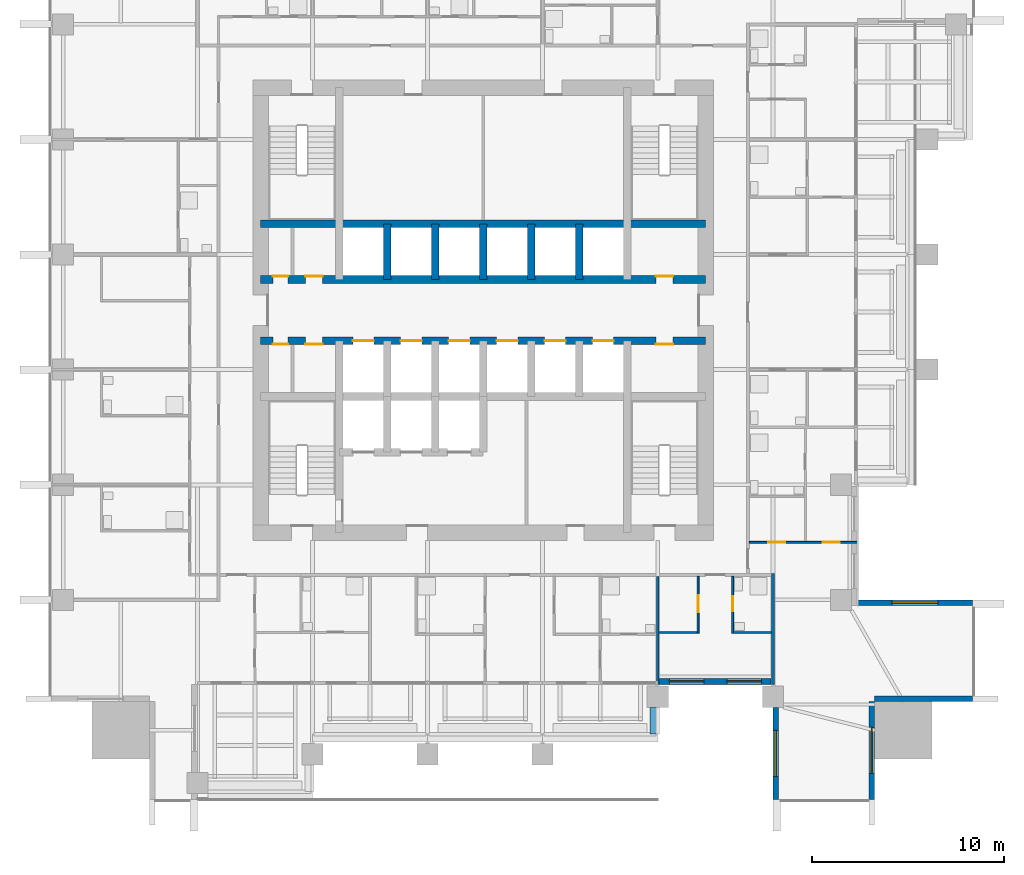
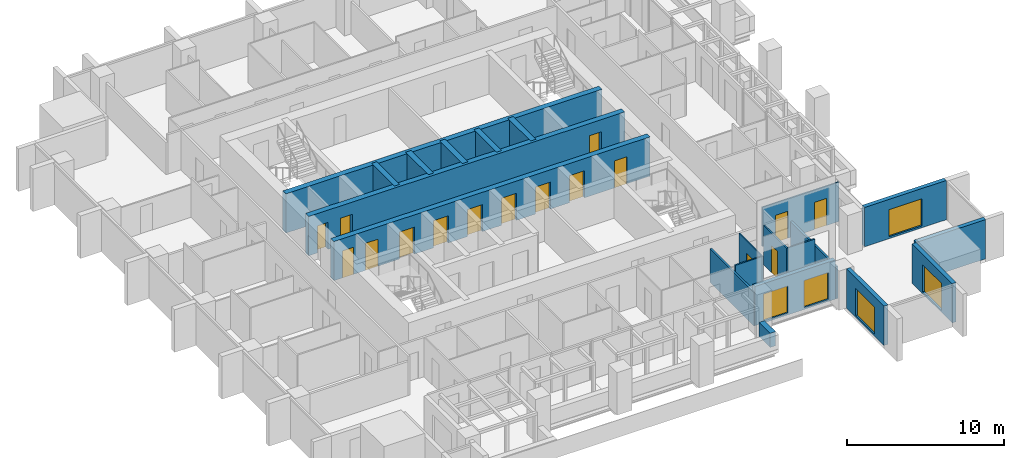
# One storey, part 9 of 16: 21 walls, 16 doors, 5 windows, 21 openings.
"""IFC4 building model written with IfcOpenShell, lengths in metres."""

from ifc_helpers import new_model, si_unit, direction, frame, frame_2d, origin, place, context, subcontext, project, spatial, rectangle, extrude, material, layer, layer_set, type_object, element, fill, save


model = new_model("IFC4")

# Units and contexts
model_context = context("Model", 3, precision=1e-05, world=origin(), true_north=direction((0.0, 1.0)))
body_context = subcontext(model_context, "Body", "Model", "MODEL_VIEW")
ifc_project = project(units=[si_unit("LENGTHUNIT", "METRE"), si_unit("AREAUNIT", "SQUARE_METRE"), si_unit("VOLUMEUNIT", "CUBIC_METRE"), si_unit("PLANEANGLEUNIT", "RADIAN"), si_unit("MASSUNIT", "GRAM", prefix="KILO")], contexts=[model_context])

# Site, building, storey
site_placement = place(None, origin())
site = spatial("IfcSite", under=ifc_project, at=site_placement, CompositionType="ELEMENT")
building_placement = place(site_placement, origin())
building = spatial("IfcBuilding", under=site, at=building_placement, Name="Amberfall Residences", CompositionType="ELEMENT")
storey_placement = place(building_placement, frame((0.0, 0.0, 108.39990234375)))
storey = spatial("IfcBuildingStorey", under=building, at=storey_placement, Name="L29", CompositionType="ELEMENT", Elevation=108.39990234375)

# Wall, opening, window
ifc_material_1 = material(Name="Pale stone cladding on insulated backing", Category="masonry")
ifc_layer_1 = layer(ifc_material_1, 0.300048828125)
ifc_layer_set_1 = layer_set([ifc_layer_1], Name="Bronze clad wall 300")
wall_type_1 = type_object("IfcWallType", Name="Bronze clad wall 300", PredefinedType="SOLIDWALL", material=ifc_layer_set_1)
wall_1_placement = place(storey_placement, frame((89.75, 24.800048828125, 0.0), z_axis=(0.0, 0.0, 1.0), x_axis=(0.0, -1.0, 0.0)))
wall_1 = element("IfcWall", 1, at=wall_1_placement, inside=storey, type_object=wall_type_1, Name="External wall L29 S", PredefinedType="SOLIDWALL", context=body_context, shape_type="SweptSolid", body=[
    extrude(rectangle(XDim=4.800048828125, YDim=0.300048828125, at=frame_2d((2.39990234375, 0.0))), origin(), (0.0, 0.0, 1.0), 3.050048828125),
])
opening_1_placement = place(wall_1_placement, frame((1.199951171875, 0.0, 0.14990234375)))
opening_1 = element("IfcOpeningElement", 2, at=opening_1_placement, cuts=wall_1, Name="Opening WN5", PredefinedType="OPENING", context=body_context, shape_type="SweptSolid", body=[
    extrude(rectangle(XDim=2.39990234375, YDim=2.10009765625, at=frame_2d((1.199951171875, 1.050048828125))), frame((0.0, 0.159912109375, 0.0), z_axis=(0.0, -1.0, 0.0), x_axis=(1.0, 0.0, 0.0)), (0.0, 0.0, 1.0), 0.320068359375),
])
ifc_material_2 = material(Name="Bronze aluminium framed glazing", Category="aluminium")
window_type_1 = type_object("IfcWindowType", Name="Glazed opening 2400 x 2100 bronze", PartitioningType="DOUBLE_PANEL_VERTICAL", PredefinedType="WINDOW", material=ifc_material_2)
window_1_placement = place(opening_1_placement, origin())
window_1 = element("IfcWindow", 3, at=window_1_placement, inside=storey, type_object=window_type_1, Name="Window L29 S", OverallHeight=2.10009765625, OverallWidth=2.39990234375, PartitioningType="DOUBLE_PANEL_VERTICAL", PredefinedType="WINDOW", context=body_context, shape_type="SweptSolid", body=[
    extrude(rectangle(XDim=2.39990234375, YDim=2.10009765625, at=frame_2d((1.199951171875, 1.050048828125))), frame((0.0, 0.030029296875, 0.0), z_axis=(0.0, -1.0, 0.0), x_axis=(1.0, 0.0, 0.0)), (0.0, 0.0, 1.0), 0.06005859375),
])
fill(opening_1, window_1)

wall_2_placement = place(storey_placement, frame((94.75, 20.0, 0.0), z_axis=(0.0, 0.0, 1.0), x_axis=(0.0, 1.0, 0.0)))
wall_2 = element("IfcWall", 4, at=wall_2_placement, inside=storey, type_object=wall_type_1, Name="External wall L29 SE", PredefinedType="SOLIDWALL", context=body_context, shape_type="SweptSolid", body=[
    extrude(rectangle(XDim=5.10009765625, YDim=0.300048828125, at=frame_2d((2.550048828125, 0.0))), origin(), (0.0, 0.0, 1.0), 3.050048828125),
])
opening_2_placement = place(wall_2_placement, frame((1.35009765625, 0.0, 0.14990234375)))
opening_2 = element("IfcOpeningElement", 5, at=opening_2_placement, cuts=wall_2, Name="Opening WN5", PredefinedType="OPENING", context=body_context, shape_type="SweptSolid", body=[
    extrude(rectangle(XDim=2.39990234375, YDim=2.10009765625, at=frame_2d((1.199951171875, 1.050048828125))), frame((0.0, 0.159912109375, 0.0), z_axis=(0.0, -1.0, 0.0), x_axis=(1.0, 0.0, 0.0)), (0.0, 0.0, 1.0), 0.320068359375),
])
window_2_placement = place(opening_2_placement, origin())
window_2 = element("IfcWindow", 6, at=window_2_placement, inside=storey, type_object=window_type_1, Name="Window L29 SE", OverallHeight=2.10009765625, OverallWidth=2.39990234375, PartitioningType="DOUBLE_PANEL_VERTICAL", PredefinedType="WINDOW", context=body_context, shape_type="SweptSolid", body=[
    extrude(rectangle(XDim=2.39990234375, YDim=2.10009765625, at=frame_2d((1.199951171875, 1.050048828125))), frame((0.0, 0.030029296875, 0.0), z_axis=(0.0, -1.0, 0.0), x_axis=(1.0, 0.0, 0.0)), (0.0, 0.0, 1.0), 0.06005859375),
])
fill(opening_2, window_2)

# Wall
wall_3_placement = place(storey_placement, frame((94.89990234375, 25.25, 0.0), z_axis=(0.0, 0.0, 1.0), x_axis=(1.0, 0.0, 0.0)))
element("IfcWall", 7, at=wall_3_placement, inside=storey, type_object=wall_type_1, Name="External wall L29 SE", PredefinedType="SOLIDWALL", context=body_context, shape_type="SweptSolid", body=[
    extrude(rectangle(XDim=5.10009765625, YDim=0.300048828125, at=frame_2d((2.550048828125, 0.0))), origin(), (0.0, 0.0, 1.0), 3.050048828125),
])

# Wall, opening, window
wall_4_placement = place(storey_placement, frame((100.0, 30.25, 0.0), z_axis=(0.0, 0.0, 1.0), x_axis=(-1.0, 0.0, 0.0)))
wall_4 = element("IfcWall", 8, at=wall_4_placement, inside=storey, type_object=wall_type_1, Name="External wall L29 E", PredefinedType="SOLIDWALL", context=body_context, shape_type="SweptSolid", body=[
    extrude(rectangle(XDim=6.0, YDim=0.300048828125, at=frame_2d((3.0, 0.0))), origin(), (0.0, 0.0, 1.0), 3.050048828125),
])
opening_3_placement = place(wall_4_placement, frame((1.800048828125, 0.0, 0.14990234375)))
opening_3 = element("IfcOpeningElement", 9, at=opening_3_placement, cuts=wall_4, Name="Opening WN5", PredefinedType="OPENING", context=body_context, shape_type="SweptSolid", body=[
    extrude(rectangle(XDim=2.39990234375, YDim=2.10009765625, at=frame_2d((1.199951171875, 1.050048828125))), frame((0.0, 0.159912109375, 0.0), z_axis=(0.0, -1.0, 0.0), x_axis=(1.0, 0.0, 0.0)), (0.0, 0.0, 1.0), 0.320068359375),
])
window_3_placement = place(opening_3_placement, origin())
window_3 = element("IfcWindow", 10, at=window_3_placement, inside=storey, type_object=window_type_1, Name="Window L29 E", OverallHeight=2.10009765625, OverallWidth=2.39990234375, PartitioningType="DOUBLE_PANEL_VERTICAL", PredefinedType="WINDOW", context=body_context, shape_type="SweptSolid", body=[
    extrude(rectangle(XDim=2.39990234375, YDim=2.10009765625, at=frame_2d((1.199951171875, 1.050048828125))), frame((0.0, 0.030029296875, 0.0), z_axis=(0.0, -1.0, 0.0), x_axis=(1.0, 0.0, 0.0)), (0.0, 0.0, 1.0), 0.06005859375),
])
fill(opening_3, window_3)

# Wall, openings, windows
wall_5_placement = place(storey_placement, frame((83.60009765625, 26.14990234375, 0.0), z_axis=(0.0, 0.0, 1.0), x_axis=(1.0, 0.0, 0.0)))
wall_5 = element("IfcWall", 11, at=wall_5_placement, inside=storey, type_object=wall_type_1, Name="Stone wall L29 S", PredefinedType="SOLIDWALL", context=body_context, shape_type="SweptSolid", body=[
    extrude(rectangle(XDim=5.889892578125, YDim=0.300048828125, at=frame_2d((2.94482421875, 0.0))), origin(), (0.0, 0.0, 1.0), 3.050048828125),
])
opening_4_placement = place(wall_5_placement, frame((0.60009765625, 0.0, 0.14990234375)))
opening_4 = element("IfcOpeningElement", 12, at=opening_4_placement, cuts=wall_5, Name="Opening WN6", PredefinedType="OPENING", context=body_context, shape_type="SweptSolid", body=[
    extrude(rectangle(XDim=1.800048828125, YDim=2.10009765625, at=frame_2d((0.89990234375, 1.050048828125))), frame((0.0, 0.159912109375, 0.0), z_axis=(0.0, -1.0, 0.0), x_axis=(1.0, 0.0, 0.0)), (0.0, 0.0, 1.0), 0.320068359375),
])
opening_5_placement = place(wall_5_placement, frame((3.60009765625, 0.0, 0.14990234375)))
opening_5 = element("IfcOpeningElement", 13, at=opening_5_placement, cuts=wall_5, Name="Opening WN6", PredefinedType="OPENING", context=body_context, shape_type="SweptSolid", body=[
    extrude(rectangle(XDim=1.800048828125, YDim=2.10009765625, at=frame_2d((0.89990234375, 1.050048828125))), frame((0.0, 0.159912109375, 0.0), z_axis=(0.0, -1.0, 0.0), x_axis=(1.0, 0.0, 0.0)), (0.0, 0.0, 1.0), 0.320068359375),
])
window_type_2 = type_object("IfcWindowType", Name="Glazed opening 1800 x 2100 bronze", PartitioningType="DOUBLE_PANEL_VERTICAL", PredefinedType="WINDOW", material=ifc_material_2)
window_4_placement = place(opening_4_placement, origin())
window_4 = element("IfcWindow", 14, at=window_4_placement, inside=storey, type_object=window_type_2, Name="Window L29 S", OverallHeight=2.10009765625, OverallWidth=1.800048828125, PartitioningType="DOUBLE_PANEL_VERTICAL", PredefinedType="WINDOW", context=body_context, shape_type="SweptSolid", body=[
    extrude(rectangle(XDim=1.800048828125, YDim=2.10009765625, at=frame_2d((0.89990234375, 1.050048828125))), frame((0.0, 0.030029296875, 0.0), z_axis=(0.0, -1.0, 0.0), x_axis=(1.0, 0.0, 0.0)), (0.0, 0.0, 1.0), 0.06005859375),
])
fill(opening_4, window_4)
window_5_placement = place(opening_5_placement, origin())
window_5 = element("IfcWindow", 15, at=window_5_placement, inside=storey, type_object=window_type_2, Name="Window L29 S", OverallHeight=2.10009765625, OverallWidth=1.800048828125, PartitioningType="DOUBLE_PANEL_VERTICAL", PredefinedType="WINDOW", context=body_context, shape_type="SweptSolid", body=[
    extrude(rectangle(XDim=1.800048828125, YDim=2.10009765625, at=frame_2d((0.89990234375, 1.050048828125))), frame((0.0, 0.030029296875, 0.0), z_axis=(0.0, -1.0, 0.0), x_axis=(1.0, 0.0, 0.0)), (0.0, 0.0, 1.0), 0.06005859375),
])
fill(opening_5, window_5)

# Wall, openings, doors
ifc_material_3 = material(Name="Concrete C70", Category="concrete")
ifc_layer_2 = layer(ifc_material_3, 0.39990234375)
ifc_layer_set_2 = layer_set([ifc_layer_2], Name="Core wall 400 C70")
wall_type_2 = type_object("IfcWallType", Name="Core wall 400 C70", PredefinedType="SHEAR", material=ifc_layer_set_2)
wall_6_placement = place(storey_placement, frame((62.89990234375, 43.89990234375, 0.0), z_axis=(0.0, 0.0, 1.0), x_axis=(1.0, 0.0, 0.0)))
wall_6 = element("IfcWall", 16, at=wall_6_placement, inside=storey, type_object=wall_type_2, Name="Core wall RW4 L29 H104", PredefinedType="SHEAR", context=body_context, shape_type="SweptSolid", body=[
    extrude(rectangle(XDim=23.2001953125, YDim=0.39990234375, at=frame_2d((11.60009765625, 0.0))), origin(), (0.0, 0.0, 1.0), 3.050048828125),
])
opening_6_placement = place(wall_6_placement, frame((0.6298828125, 0.0, 0.0)))
opening_6 = element("IfcOpeningElement", 17, at=opening_6_placement, cuts=wall_6, Name="Opening RD2", PredefinedType="OPENING", context=body_context, shape_type="SweptSolid", body=[
    extrude(rectangle(XDim=0.800048828125, YDim=2.10009765625, at=frame_2d((0.39990234375, 1.050048828125))), frame((0.0, 0.2099609375, 0.0), z_axis=(0.0, -1.0, 0.0), x_axis=(1.0, 0.0, 0.0)), (0.0, 0.0, 1.0), 0.419921875),
])
opening_7_placement = place(wall_6_placement, frame((2.330078125, 0.0, 0.0)))
opening_7 = element("IfcOpeningElement", 18, at=opening_7_placement, cuts=wall_6, Name="Opening RD1", PredefinedType="OPENING", context=body_context, shape_type="SweptSolid", body=[
    extrude(rectangle(XDim=0.89990234375, YDim=2.10009765625, at=frame_2d((0.449951171875, 1.050048828125))), frame((0.0, 0.2099609375, 0.0), z_axis=(0.0, -1.0, 0.0), x_axis=(1.0, 0.0, 0.0)), (0.0, 0.0, 1.0), 0.419921875),
])
opening_8_placement = place(wall_6_placement, frame((20.60009765625, 0.0, 0.0)))
opening_8 = element("IfcOpeningElement", 19, at=opening_8_placement, cuts=wall_6, Name="Opening RD1", PredefinedType="OPENING", context=body_context, shape_type="SweptSolid", body=[
    extrude(rectangle(XDim=0.89990234375, YDim=2.10009765625, at=frame_2d((0.449951171875, 1.050048828125))), frame((0.0, 0.2099609375, 0.0), z_axis=(0.0, -1.0, 0.0), x_axis=(1.0, 0.0, 0.0)), (0.0, 0.0, 1.0), 0.419921875),
])
opening_9_placement = place(wall_6_placement, frame((4.800048828125, 0.0, 0.0)))
opening_9 = element("IfcOpeningElement", 20, at=opening_9_placement, cuts=wall_6, Name="Opening LD1", PredefinedType="OPENING", context=body_context, shape_type="SweptSolid", body=[
    extrude(rectangle(XDim=1.10009765625, YDim=2.10009765625, at=frame_2d((0.550048828125, 1.050048828125))), frame((0.0, 0.2099609375, 0.0), z_axis=(0.0, -1.0, 0.0), x_axis=(1.0, 0.0, 0.0)), (0.0, 0.0, 1.0), 0.419921875),
])
opening_10_placement = place(wall_6_placement, frame((7.300048828125, 0.0, 0.0)))
opening_10 = element("IfcOpeningElement", 21, at=opening_10_placement, cuts=wall_6, Name="Opening LD1", PredefinedType="OPENING", context=body_context, shape_type="SweptSolid", body=[
    extrude(rectangle(XDim=1.10009765625, YDim=2.10009765625, at=frame_2d((0.550048828125, 1.050048828125))), frame((0.0, 0.2099609375, 0.0), z_axis=(0.0, -1.0, 0.0), x_axis=(1.0, 0.0, 0.0)), (0.0, 0.0, 1.0), 0.419921875),
])
opening_11_placement = place(wall_6_placement, frame((9.800048828125, 0.0, 0.0)))
opening_11 = element("IfcOpeningElement", 22, at=opening_11_placement, cuts=wall_6, Name="Opening LD1", PredefinedType="OPENING", context=body_context, shape_type="SweptSolid", body=[
    extrude(rectangle(XDim=1.10009765625, YDim=2.10009765625, at=frame_2d((0.550048828125, 1.050048828125))), frame((0.0, 0.2099609375, 0.0), z_axis=(0.0, -1.0, 0.0), x_axis=(1.0, 0.0, 0.0)), (0.0, 0.0, 1.0), 0.419921875),
])
opening_12_placement = place(wall_6_placement, frame((12.300048828125, 0.0, 0.0)))
opening_12 = element("IfcOpeningElement", 23, at=opening_12_placement, cuts=wall_6, Name="Opening LD1", PredefinedType="OPENING", context=body_context, shape_type="SweptSolid", body=[
    extrude(rectangle(XDim=1.10009765625, YDim=2.10009765625, at=frame_2d((0.550048828125, 1.050048828125))), frame((0.0, 0.2099609375, 0.0), z_axis=(0.0, -1.0, 0.0), x_axis=(1.0, 0.0, 0.0)), (0.0, 0.0, 1.0), 0.419921875),
])
opening_13_placement = place(wall_6_placement, frame((14.800048828125, 0.0, 0.0)))
opening_13 = element("IfcOpeningElement", 24, at=opening_13_placement, cuts=wall_6, Name="Opening LD1", PredefinedType="OPENING", context=body_context, shape_type="SweptSolid", body=[
    extrude(rectangle(XDim=1.10009765625, YDim=2.10009765625, at=frame_2d((0.550048828125, 1.050048828125))), frame((0.0, 0.2099609375, 0.0), z_axis=(0.0, -1.0, 0.0), x_axis=(1.0, 0.0, 0.0)), (0.0, 0.0, 1.0), 0.419921875),
])
opening_14_placement = place(wall_6_placement, frame((17.300048828125, 0.0, 0.0)))
opening_14 = element("IfcOpeningElement", 25, at=opening_14_placement, cuts=wall_6, Name="Opening LD1", PredefinedType="OPENING", context=body_context, shape_type="SweptSolid", body=[
    extrude(rectangle(XDim=1.10009765625, YDim=2.10009765625, at=frame_2d((0.550048828125, 1.050048828125))), frame((0.0, 0.2099609375, 0.0), z_axis=(0.0, -1.0, 0.0), x_axis=(1.0, 0.0, 0.0)), (0.0, 0.0, 1.0), 0.419921875),
])
ifc_material_4 = material(Name="Steel fire door set", Category="steel")
door_type_1 = type_object("IfcDoorType", Name="Lift landing door 1100 x 2100", OperationType="DOUBLE_DOOR_SLIDING", PredefinedType="DOOR", material=ifc_material_4)
door_1_placement = place(opening_9_placement, origin())
door_1 = element("IfcDoor", 26, at=door_1_placement, inside=storey, type_object=door_type_1, Name="Landing door LP1 L29", OperationType="DOUBLE_DOOR_SLIDING", OverallHeight=2.10009765625, OverallWidth=1.10009765625, PredefinedType="DOOR", context=body_context, shape_type="SweptSolid", body=[
    extrude(rectangle(XDim=1.10009765625, YDim=2.10009765625, at=frame_2d((0.550048828125, 1.050048828125))), frame((0.0, 0.02490234375, 0.0), z_axis=(0.0, -1.0, 0.0), x_axis=(1.0, 0.0, 0.0)), (0.0, 0.0, 1.0), 0.050048828125),
])
fill(opening_9, door_1)
door_2_placement = place(opening_10_placement, origin())
door_2 = element("IfcDoor", 27, at=door_2_placement, inside=storey, type_object=door_type_1, Name="Landing door LP2 L29", OperationType="DOUBLE_DOOR_SLIDING", OverallHeight=2.10009765625, OverallWidth=1.10009765625, PredefinedType="DOOR", context=body_context, shape_type="SweptSolid", body=[
    extrude(rectangle(XDim=1.10009765625, YDim=2.10009765625, at=frame_2d((0.550048828125, 1.050048828125))), frame((0.0, 0.02490234375, 0.0), z_axis=(0.0, -1.0, 0.0), x_axis=(1.0, 0.0, 0.0)), (0.0, 0.0, 1.0), 0.050048828125),
])
fill(opening_10, door_2)
door_3_placement = place(opening_11_placement, origin())
door_3 = element("IfcDoor", 28, at=door_3_placement, inside=storey, type_object=door_type_1, Name="Landing door LP3 L29", OperationType="DOUBLE_DOOR_SLIDING", OverallHeight=2.10009765625, OverallWidth=1.10009765625, PredefinedType="DOOR", context=body_context, shape_type="SweptSolid", body=[
    extrude(rectangle(XDim=1.10009765625, YDim=2.10009765625, at=frame_2d((0.550048828125, 1.050048828125))), frame((0.0, 0.02490234375, 0.0), z_axis=(0.0, -1.0, 0.0), x_axis=(1.0, 0.0, 0.0)), (0.0, 0.0, 1.0), 0.050048828125),
])
fill(opening_11, door_3)
door_4_placement = place(opening_12_placement, origin())
door_4 = element("IfcDoor", 29, at=door_4_placement, inside=storey, type_object=door_type_1, Name="Landing door LP4 L29", OperationType="DOUBLE_DOOR_SLIDING", OverallHeight=2.10009765625, OverallWidth=1.10009765625, PredefinedType="DOOR", context=body_context, shape_type="SweptSolid", body=[
    extrude(rectangle(XDim=1.10009765625, YDim=2.10009765625, at=frame_2d((0.550048828125, 1.050048828125))), frame((0.0, 0.02490234375, 0.0), z_axis=(0.0, -1.0, 0.0), x_axis=(1.0, 0.0, 0.0)), (0.0, 0.0, 1.0), 0.050048828125),
])
fill(opening_12, door_4)
door_5_placement = place(opening_13_placement, origin())
door_5 = element("IfcDoor", 30, at=door_5_placement, inside=storey, type_object=door_type_1, Name="Landing door LP5 L29", OperationType="DOUBLE_DOOR_SLIDING", OverallHeight=2.10009765625, OverallWidth=1.10009765625, PredefinedType="DOOR", context=body_context, shape_type="SweptSolid", body=[
    extrude(rectangle(XDim=1.10009765625, YDim=2.10009765625, at=frame_2d((0.550048828125, 1.050048828125))), frame((0.0, 0.02490234375, 0.0), z_axis=(0.0, -1.0, 0.0), x_axis=(1.0, 0.0, 0.0)), (0.0, 0.0, 1.0), 0.050048828125),
])
fill(opening_13, door_5)
door_6_placement = place(opening_14_placement, origin())
door_6 = element("IfcDoor", 31, at=door_6_placement, inside=storey, type_object=door_type_1, Name="Landing door LP6 L29", OperationType="DOUBLE_DOOR_SLIDING", OverallHeight=2.10009765625, OverallWidth=1.10009765625, PredefinedType="DOOR", context=body_context, shape_type="SweptSolid", body=[
    extrude(rectangle(XDim=1.10009765625, YDim=2.10009765625, at=frame_2d((0.550048828125, 1.050048828125))), frame((0.0, 0.02490234375, 0.0), z_axis=(0.0, -1.0, 0.0), x_axis=(1.0, 0.0, 0.0)), (0.0, 0.0, 1.0), 0.050048828125),
])
fill(opening_14, door_6)
door_type_2 = type_object("IfcDoorType", Name="Service room door 800 x 2100", OperationType="SINGLE_SWING_LEFT", PredefinedType="DOOR", material=ifc_material_4)
door_7_placement = place(opening_6_placement, origin())
door_7 = element("IfcDoor", 32, at=door_7_placement, inside=storey, type_object=door_type_2, Name="RD2 L29", OperationType="SINGLE_SWING_LEFT", OverallHeight=2.10009765625, OverallWidth=0.800048828125, PredefinedType="DOOR", context=body_context, shape_type="SweptSolid", body=[
    extrude(rectangle(XDim=0.800048828125, YDim=2.10009765625, at=frame_2d((0.39990234375, 1.050048828125))), frame((0.0, -0.1376953125, 0.0), z_axis=(0.0, -1.0, 0.0), x_axis=(1.0, 0.0, 0.0)), (0.0, 0.0, 1.0), 0.050048828125),
])
fill(opening_6, door_7)
door_type_3 = type_object("IfcDoorType", Name="Service room door 900 x 2100", OperationType="SINGLE_SWING_LEFT", PredefinedType="DOOR", material=ifc_material_4)
door_8_placement = place(opening_7_placement, origin())
door_8 = element("IfcDoor", 33, at=door_8_placement, inside=storey, type_object=door_type_3, Name="RD1 L29", OperationType="SINGLE_SWING_RIGHT", OverallHeight=2.10009765625, OverallWidth=0.89990234375, PredefinedType="DOOR", context=body_context, shape_type="SweptSolid", body=[
    extrude(rectangle(XDim=0.89990234375, YDim=2.10009765625, at=frame_2d((0.449951171875, 1.050048828125))), frame((0.0, -0.1376953125, 0.0), z_axis=(0.0, -1.0, 0.0), x_axis=(1.0, 0.0, 0.0)), (0.0, 0.0, 1.0), 0.050048828125),
])
fill(opening_7, door_8)
door_9_placement = place(opening_8_placement, origin())
door_9 = element("IfcDoor", 34, at=door_9_placement, inside=storey, type_object=door_type_3, Name="RD1 L29", OperationType="SINGLE_SWING_LEFT", OverallHeight=2.10009765625, OverallWidth=0.89990234375, PredefinedType="DOOR", context=body_context, shape_type="SweptSolid", body=[
    extrude(rectangle(XDim=0.89990234375, YDim=2.10009765625, at=frame_2d((0.449951171875, 1.050048828125))), frame((0.0, -0.1376953125, 0.0), z_axis=(0.0, -1.0, 0.0), x_axis=(1.0, 0.0, 0.0)), (0.0, 0.0, 1.0), 0.050048828125),
])
fill(opening_8, door_9)

wall_7_placement = place(storey_placement, frame((62.89990234375, 47.10009765625, 0.0), z_axis=(0.0, 0.0, 1.0), x_axis=(1.0, 0.0, 0.0)))
wall_7 = element("IfcWall", 35, at=wall_7_placement, inside=storey, type_object=wall_type_2, Name="Core wall RW4 L29 H136", PredefinedType="SHEAR", context=body_context, shape_type="SweptSolid", body=[
    extrude(rectangle(XDim=23.2001953125, YDim=0.39990234375, at=frame_2d((11.60009765625, 0.0))), origin(), (0.0, 0.0, 1.0), 3.050048828125),
])
opening_15_placement = place(wall_7_placement, frame((0.6298828125, 0.0, 0.0)))
opening_15 = element("IfcOpeningElement", 36, at=opening_15_placement, cuts=wall_7, Name="Opening RD2", PredefinedType="OPENING", context=body_context, shape_type="SweptSolid", body=[
    extrude(rectangle(XDim=0.800048828125, YDim=2.10009765625, at=frame_2d((0.39990234375, 1.050048828125))), frame((0.0, 0.2099609375, 0.0), z_axis=(0.0, -1.0, 0.0), x_axis=(1.0, 0.0, 0.0)), (0.0, 0.0, 1.0), 0.419921875),
])
opening_16_placement = place(wall_7_placement, frame((2.330078125, 0.0, 0.0)))
opening_16 = element("IfcOpeningElement", 37, at=opening_16_placement, cuts=wall_7, Name="Opening RD1", PredefinedType="OPENING", context=body_context, shape_type="SweptSolid", body=[
    extrude(rectangle(XDim=0.89990234375, YDim=2.10009765625, at=frame_2d((0.449951171875, 1.050048828125))), frame((0.0, 0.2099609375, 0.0), z_axis=(0.0, -1.0, 0.0), x_axis=(1.0, 0.0, 0.0)), (0.0, 0.0, 1.0), 0.419921875),
])
opening_17_placement = place(wall_7_placement, frame((20.60009765625, 0.0, 0.0)))
opening_17 = element("IfcOpeningElement", 38, at=opening_17_placement, cuts=wall_7, Name="Opening RD1", PredefinedType="OPENING", context=body_context, shape_type="SweptSolid", body=[
    extrude(rectangle(XDim=0.89990234375, YDim=2.10009765625, at=frame_2d((0.449951171875, 1.050048828125))), frame((0.0, 0.2099609375, 0.0), z_axis=(0.0, -1.0, 0.0), x_axis=(1.0, 0.0, 0.0)), (0.0, 0.0, 1.0), 0.419921875),
])
door_10_placement = place(opening_15_placement, origin())
door_10 = element("IfcDoor", 39, at=door_10_placement, inside=storey, type_object=door_type_2, Name="RD2 L29", OperationType="SINGLE_SWING_LEFT", OverallHeight=2.10009765625, OverallWidth=0.800048828125, PredefinedType="DOOR", context=body_context, shape_type="SweptSolid", body=[
    extrude(rectangle(XDim=0.800048828125, YDim=2.10009765625, at=frame_2d((0.39990234375, 1.050048828125))), frame((0.0, 0.1875, 0.0), z_axis=(0.0, -1.0, 0.0), x_axis=(1.0, 0.0, 0.0)), (0.0, 0.0, 1.0), 0.050048828125),
])
fill(opening_15, door_10)
door_11_placement = place(opening_16_placement, origin())
door_11 = element("IfcDoor", 40, at=door_11_placement, inside=storey, type_object=door_type_3, Name="RD1 L29", OperationType="SINGLE_SWING_RIGHT", OverallHeight=2.10009765625, OverallWidth=0.89990234375, PredefinedType="DOOR", context=body_context, shape_type="SweptSolid", body=[
    extrude(rectangle(XDim=0.89990234375, YDim=2.10009765625, at=frame_2d((0.449951171875, 1.050048828125))), frame((0.0, 0.1875, 0.0), z_axis=(0.0, -1.0, 0.0), x_axis=(1.0, 0.0, 0.0)), (0.0, 0.0, 1.0), 0.050048828125),
])
fill(opening_16, door_11)
door_12_placement = place(opening_17_placement, origin())
door_12 = element("IfcDoor", 41, at=door_12_placement, inside=storey, type_object=door_type_3, Name="RD1 L29", OperationType="SINGLE_SWING_LEFT", OverallHeight=2.10009765625, OverallWidth=0.89990234375, PredefinedType="DOOR", context=body_context, shape_type="SweptSolid", body=[
    extrude(rectangle(XDim=0.89990234375, YDim=2.10009765625, at=frame_2d((0.449951171875, 1.050048828125))), frame((0.0, 0.1875, 0.0), z_axis=(0.0, -1.0, 0.0), x_axis=(1.0, 0.0, 0.0)), (0.0, 0.0, 1.0), 0.050048828125),
])
fill(opening_17, door_12)

# Walls
wall_8_placement = place(storey_placement, frame((62.89990234375, 50.0, 0.0), z_axis=(0.0, 0.0, 1.0), x_axis=(1.0, 0.0, 0.0)))
element("IfcWall", 42, at=wall_8_placement, inside=storey, type_object=wall_type_2, Name="Core wall RW4 L29 H165", PredefinedType="SHEAR", context=body_context, shape_type="SweptSolid", body=[
    extrude(rectangle(XDim=23.2001953125, YDim=0.39990234375, at=frame_2d((11.60009765625, 0.0))), origin(), (0.0, 0.0, 1.0), 3.050048828125),
])
for number, where, z_axis, x_axis, name in (
    (43, (69.5, 47.10009765625, 0.0), (0.0, 0.0, 1.0), (0.0, 1.0, 0.0), "Core wall RW4 L29 HPD1"),
    (44, (72.0, 47.10009765625, 0.0), (0.0, 0.0, 1.0), (0.0, 1.0, 0.0), "Core wall RW4 L29 HPD2"),
    (45, (74.5, 47.10009765625, 0.0), (0.0, 0.0, 1.0), (0.0, 1.0, 0.0), "Core wall RW4 L29 HPD3"),
    (46, (77.0, 47.10009765625, 0.0), (0.0, 0.0, 1.0), (0.0, 1.0, 0.0), "Core wall RW4 L29 HPD4"),
    (47, (79.5, 47.10009765625, 0.0), (0.0, 0.0, 1.0), (0.0, 1.0, 0.0), "Core wall RW4 L29 HPD5"),
):
    element("IfcWall", number, at=place(storey_placement, frame(where, z_axis=z_axis, x_axis=x_axis)), inside=storey, type_object=wall_type_2, Name=name, PredefinedType="SHEAR", context=body_context, shape_type="SweptSolid", body=[
        extrude(rectangle(XDim=2.89990234375, YDim=0.39990234375, at=frame_2d((1.449951171875, 0.0))), origin(), (0.0, 0.0, 1.0), 3.050048828125),
    ])

# Wall, opening, door
ifc_material_5 = material(Name="Gypsum board on metal stud")
ifc_layer_3 = layer(ifc_material_5, 0.10009765625)
ifc_layer_set_3 = layer_set([ifc_layer_3], Name="Flat partition 100")
wall_type_3 = type_object("IfcWallType", Name="Flat partition 100", PredefinedType="PARTITIONING", material=ifc_layer_set_3)
wall_9_placement = place(storey_placement, frame((85.699951171875, 28.64990234375, 0.0), z_axis=(0.0, 0.0, 1.0), x_axis=(0.0, 1.0, 0.0)))
wall_9 = element("IfcWall", 48, at=wall_9_placement, inside=storey, type_object=wall_type_3, Name="Partition 020", PredefinedType="PARTITIONING", context=body_context, shape_type="SweptSolid", body=[
    extrude(rectangle(XDim=2.97509765625, YDim=0.10009765625, at=frame_2d((1.487548828125, 0.0))), origin(), (0.0, 0.0, 1.0), 3.050048828125),
])
opening_18_placement = place(wall_9_placement, frame((1.10009765625, 0.0, 0.0)))
opening_18 = element("IfcOpeningElement", 49, at=opening_18_placement, cuts=wall_9, Name="Opening D41", PredefinedType="OPENING", context=body_context, shape_type="SweptSolid", body=[
    extrude(rectangle(XDim=0.89990234375, YDim=2.10009765625, at=frame_2d((0.449951171875, 1.050048828125))), frame((0.0, 0.06005859375, 0.0), z_axis=(0.0, -1.0, 0.0), x_axis=(1.0, 0.0, 0.0)), (0.0, 0.0, 1.0), 0.1201171875),
])
ifc_material_6 = material(Name="Timber", Category="wood")
door_type_4 = type_object("IfcDoorType", Name="Internal door 900 x 2100", OperationType="SINGLE_SWING_LEFT", PredefinedType="DOOR", material=ifc_material_6)
door_13_placement = place(opening_18_placement, origin())
door_13 = element("IfcDoor", 50, at=door_13_placement, inside=storey, type_object=door_type_4, Name="Door 2903 kitchen", OperationType="SINGLE_SWING_LEFT", OverallHeight=2.10009765625, OverallWidth=0.89990234375, PredefinedType="DOOR", context=body_context, shape_type="SweptSolid", body=[
    extrude(rectangle(XDim=0.89990234375, YDim=2.10009765625, at=frame_2d((0.449951171875, 1.050048828125))), frame((0.0, 0.02490234375, 0.0), z_axis=(0.0, -1.0, 0.0), x_axis=(1.0, 0.0, 0.0)), (0.0, 0.0, 1.0), 0.050048828125),
])
fill(opening_18, door_13)

wall_10_placement = place(storey_placement, frame((87.5, 31.625, 0.0), z_axis=(0.0, 0.0, 1.0), x_axis=(0.0, -1.0, 0.0)))
wall_10 = element("IfcWall", 51, at=wall_10_placement, inside=storey, type_object=wall_type_3, Name="Partition 021", PredefinedType="PARTITIONING", context=body_context, shape_type="SweptSolid", body=[
    extrude(rectangle(XDim=2.97509765625, YDim=0.10009765625, at=frame_2d((1.487548828125, 0.0))), origin(), (0.0, 0.0, 1.0), 3.050048828125),
])
opening_19_placement = place(wall_10_placement, frame((1.02490234375, 0.0, 0.0)))
opening_19 = element("IfcOpeningElement", 52, at=opening_19_placement, cuts=wall_10, Name="Opening D42", PredefinedType="OPENING", context=body_context, shape_type="SweptSolid", body=[
    extrude(rectangle(XDim=0.800048828125, YDim=2.10009765625, at=frame_2d((0.39990234375, 1.050048828125))), frame((0.0, 0.06005859375, 0.0), z_axis=(0.0, -1.0, 0.0), x_axis=(1.0, 0.0, 0.0)), (0.0, 0.0, 1.0), 0.1201171875),
])
door_type_5 = type_object("IfcDoorType", Name="Bathroom door 800 x 2100", OperationType="SINGLE_SWING_LEFT", PredefinedType="DOOR", material=ifc_material_6)
door_14_placement = place(opening_19_placement, origin())
door_14 = element("IfcDoor", 53, at=door_14_placement, inside=storey, type_object=door_type_5, Name="Door 2903 bath1", OperationType="SINGLE_SWING_LEFT", OverallHeight=2.10009765625, OverallWidth=0.800048828125, PredefinedType="DOOR", context=body_context, shape_type="SweptSolid", body=[
    extrude(rectangle(XDim=0.800048828125, YDim=2.10009765625, at=frame_2d((0.39990234375, 1.050048828125))), frame((0.0, 0.02490234375, 0.0), z_axis=(0.0, -1.0, 0.0), x_axis=(1.0, 0.0, 0.0)), (0.0, 0.0, 1.0), 0.050048828125),
])
fill(opening_19, door_14)

# Wall, openings, doors
wall_11_placement = place(storey_placement, frame((88.375, 33.39990234375, 0.0), z_axis=(0.0, 0.0, 1.0), x_axis=(1.0, 0.0, 0.0)))
wall_11 = element("IfcWall", 54, at=wall_11_placement, inside=storey, type_object=wall_type_3, Name="Partition 044", PredefinedType="PARTITIONING", context=body_context, shape_type="SweptSolid", body=[
    extrude(rectangle(XDim=5.625, YDim=0.10009765625, at=frame_2d((2.8125, 0.0))), origin(), (0.0, 0.0, 1.0), 3.050048828125),
])
opening_20_placement = place(wall_11_placement, frame((0.97509765625, 0.0, 0.0)))
opening_20 = element("IfcOpeningElement", 55, at=opening_20_placement, cuts=wall_11, Name="Opening D41", PredefinedType="OPENING", context=body_context, shape_type="SweptSolid", body=[
    extrude(rectangle(XDim=0.89990234375, YDim=2.10009765625, at=frame_2d((0.449951171875, 1.050048828125))), frame((0.0, 0.06005859375, 0.0), z_axis=(0.0, -1.0, 0.0), x_axis=(1.0, 0.0, 0.0)), (0.0, 0.0, 1.0), 0.1201171875),
])
opening_21_placement = place(wall_11_placement, frame((3.824951171875, 0.0, 0.0)))
opening_21 = element("IfcOpeningElement", 56, at=opening_21_placement, cuts=wall_11, Name="Opening D41", PredefinedType="OPENING", context=body_context, shape_type="SweptSolid", body=[
    extrude(rectangle(XDim=0.89990234375, YDim=2.10009765625, at=frame_2d((0.449951171875, 1.050048828125))), frame((0.0, 0.06005859375, 0.0), z_axis=(0.0, -1.0, 0.0), x_axis=(1.0, 0.0, 0.0)), (0.0, 0.0, 1.0), 0.1201171875),
])
door_15_placement = place(opening_20_placement, origin())
door_15 = element("IfcDoor", 57, at=door_15_placement, inside=storey, type_object=door_type_4, Name="Door 2904 kitchen", OperationType="SINGLE_SWING_LEFT", OverallHeight=2.10009765625, OverallWidth=0.89990234375, PredefinedType="DOOR", context=body_context, shape_type="SweptSolid", body=[
    extrude(rectangle(XDim=0.89990234375, YDim=2.10009765625, at=frame_2d((0.449951171875, 1.050048828125))), frame((0.0, 0.02490234375, 0.0), z_axis=(0.0, -1.0, 0.0), x_axis=(1.0, 0.0, 0.0)), (0.0, 0.0, 1.0), 0.050048828125),
])
fill(opening_20, door_15)
door_16_placement = place(opening_21_placement, origin())
door_16 = element("IfcDoor", 58, at=door_16_placement, inside=storey, type_object=door_type_4, Name="Door 2904 bedroom1", OperationType="SINGLE_SWING_LEFT", OverallHeight=2.10009765625, OverallWidth=0.89990234375, PredefinedType="DOOR", context=body_context, shape_type="SweptSolid", body=[
    extrude(rectangle(XDim=0.89990234375, YDim=2.10009765625, at=frame_2d((0.449951171875, 1.050048828125))), frame((0.0, 0.02490234375, 0.0), z_axis=(0.0, -1.0, 0.0), x_axis=(1.0, 0.0, 0.0)), (0.0, 0.0, 1.0), 0.050048828125),
])
fill(opening_21, door_16)

# Walls
for number, where, z_axis, x_axis, name in (
    (59, (83.675048828125, 28.699951171875, 0.0), (0.0, 0.0, 1.0), (1.0, 0.0, 0.0), "Partition 047"),
    (60, (87.550048828125, 28.699951171875, 0.0), (0.0, 0.0, 1.0), (1.0, 0.0, 0.0), "Partition 048"),
):
    element("IfcWall", number, at=place(storey_placement, frame(where, z_axis=z_axis, x_axis=x_axis)), inside=storey, type_object=wall_type_3, Name=name, PredefinedType="PARTITIONING", context=body_context, shape_type="SweptSolid", body=[
        extrude(rectangle(XDim=1.974853515625, YDim=0.10009765625, at=frame_2d((0.9873046875, 0.0))), origin(), (0.0, 0.0, 1.0), 3.050048828125),
    ])
ifc_material_7 = material(Name="Blockwork, plastered", Category="masonry")
ifc_layer_4 = layer(ifc_material_7, 0.14990234375)
ifc_layer_set_4 = layer_set([ifc_layer_4], Name="Flat separating wall 150")
wall_type_4 = type_object("IfcWallType", Name="Flat separating wall 150", PredefinedType="PARTITIONING", material=ifc_layer_set_4)
wall_12_placement = place(storey_placement, frame((83.60009765625, 26.0, 0.0), z_axis=(0.0, 0.0, 1.0), x_axis=(0.0, 1.0, 0.0)))
element("IfcWall", 61, at=wall_12_placement, inside=storey, type_object=wall_type_4, Name="Separating wall 055", PredefinedType="PARTITIONING", context=body_context, shape_type="SweptSolid", body=[
    extrude(rectangle(XDim=5.625, YDim=0.14990234375, at=frame_2d((2.8125, 0.0))), origin(), (0.0, 0.0, 1.0), 2.590087890625),
])
wall_13_placement = place(storey_placement, frame((89.60009765625, 26.0, 0.0), z_axis=(0.0, 0.0, 1.0), x_axis=(0.0, 1.0, 0.0)))
element("IfcWall", 62, at=wall_13_placement, inside=storey, type_object=wall_type_4, Name="Separating wall 057", PredefinedType="PARTITIONING", context=body_context, shape_type="SweptSolid", body=[
    extrude(rectangle(XDim=5.77490234375, YDim=0.14990234375, at=frame_2d((2.887451171875, 0.0))), origin(), (0.0, 0.0, 1.0), 2.51611328125),
])
ifc_material_8 = material(Name="Pale stone faced Concrete C40", Category="masonry")
ifc_layer_5 = layer(ifc_material_8, 0.39990234375)
ifc_layer_set_5 = layer_set([ifc_layer_5], Name="Terrace parapet wall 400")
wall_type_5 = type_object("IfcWallType", Name="Terrace parapet wall 400", PredefinedType="PARAPET", material=ifc_layer_set_5)
wall_14_placement = place(storey_placement, frame((83.39990234375, 23.39990234375, 0.030029296875), z_axis=(0.0, 0.0, 1.0), x_axis=(0.0, 1.0, 0.0)))
element("IfcWall", 63, at=wall_14_placement, inside=storey, type_object=wall_type_5, Name="Terrace parapet L29 S4 return", PredefinedType="PARAPET", context=body_context, shape_type="SweptSolid", body=[
    extrude(rectangle(XDim=1.400146484375, YDim=0.39990234375, at=frame_2d((0.7001953125, 0.0))), origin(), (0.0, 0.0, 1.0), 1.10009765625),
])

save(model, "model.ifc")
